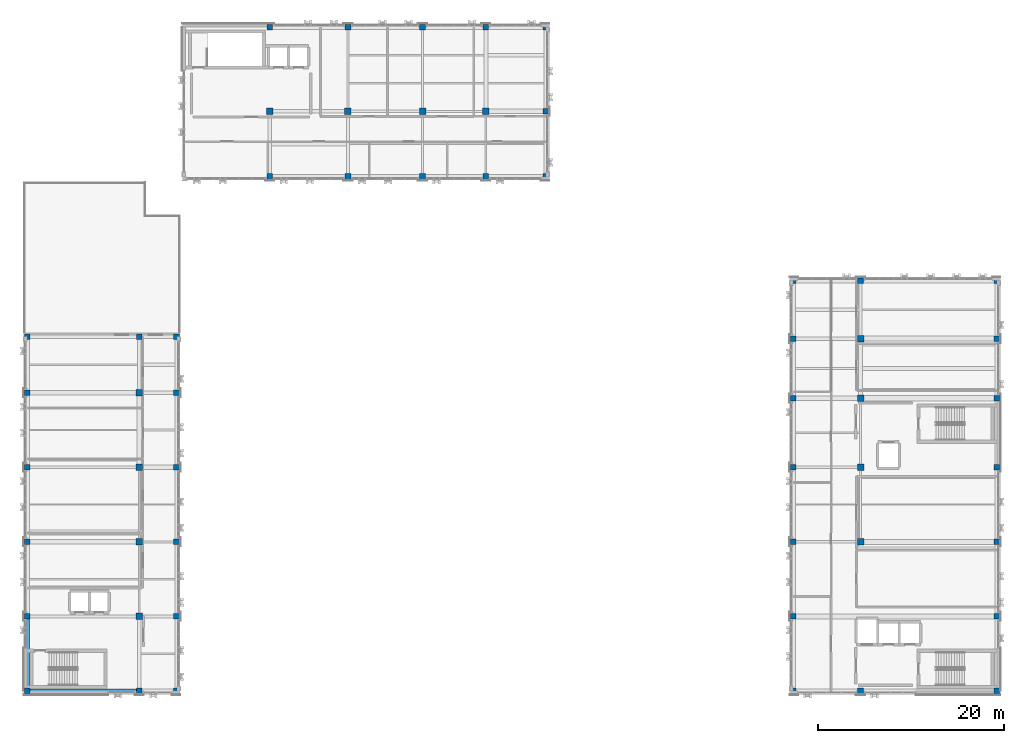
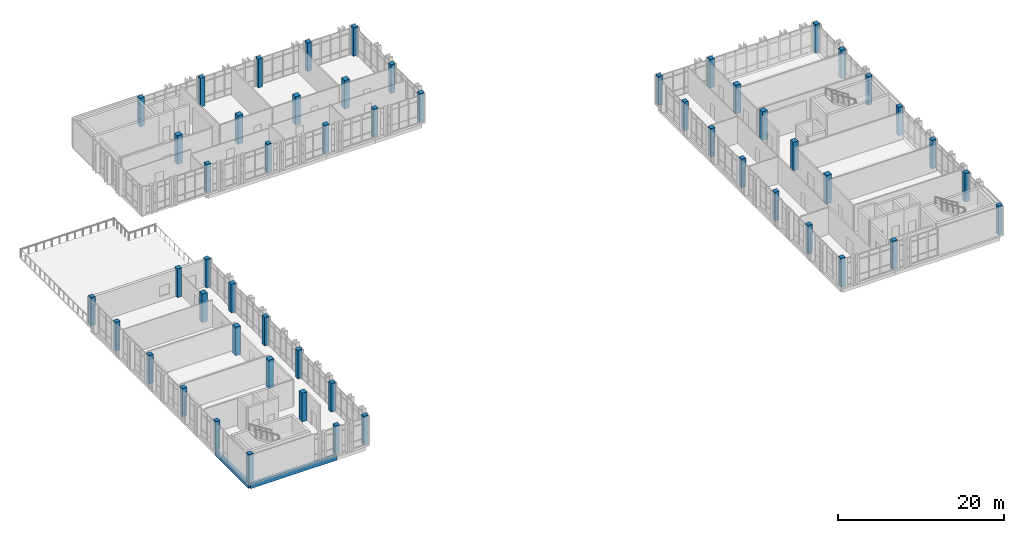
# One storey, part 1 of 77: 53 columns, 2 beams.
"""IFC4 building model written with IfcOpenShell, lengths in metres."""

from ifc_helpers import new_model, si_unit, direction, frame, origin, origin_2d, place, context, subcontext, project, spatial, rectangle, extrude, material, material_profile, profile_set, type_object, element, save


model = new_model("IFC4")

# Units and contexts
model_context = context("Model", 3, precision=1e-05, world=origin(), true_north=direction((0.0, 1.0)))
body_context = subcontext(model_context, "Body", "Model", "MODEL_VIEW")
ifc_project = project(units=[si_unit("LENGTHUNIT", "METRE"), si_unit("AREAUNIT", "SQUARE_METRE"), si_unit("VOLUMEUNIT", "CUBIC_METRE"), si_unit("PLANEANGLEUNIT", "RADIAN"), si_unit("MASSUNIT", "GRAM", prefix="KILO")], contexts=[model_context])

# Site, building, storey
site_placement = place(None, origin())
site = spatial("IfcSite", under=ifc_project, at=site_placement, CompositionType="ELEMENT")
building_placement = place(site_placement, origin())
building = spatial("IfcBuilding", under=site, at=building_placement, Name="Qalavern Law Courts", CompositionType="ELEMENT")
storey_placement = place(building_placement, frame((0.0, 0.0, 27.0)))
storey = spatial("IfcBuildingStorey", under=building, at=storey_placement, Name="L06", CompositionType="ELEMENT", Elevation=27.0)

# Columns
ifc_material_1 = material(Name="Concrete C45/55", Category="concrete")
ifc_material_profile_1 = material_profile(ifc_material_1, rectangle(XDim=0.60009765625, YDim=0.60009765625, at=origin_2d()), Name="RC 600x600")
ifc_profile_set_1 = profile_set([ifc_material_profile_1], Name="Concrete C45/55")
column_type_1 = type_object("IfcColumnType", Name="STR-COL-RC600E", PredefinedType="COLUMN", material=ifc_profile_set_1)
for number, where, z_axis, x_axis, name in (
    (1, (2.39990234375, 41.419921875, 0.0), (0.0, 0.0, 1.0), (1.0, 0.0, 0.0), "V3 column 1-1 L06"),
    (2, (2.39990234375, 49.39990234375, 0.0), (0.0, 0.0, 1.0), (1.0, 0.0, 0.0), "V3 column 1-2 L06"),
    (3, (2.39990234375, 57.39990234375, 0.0), (0.0, 0.0, 1.0), (1.0, 0.0, 0.0), "V3 column 1-3 L06"),
    (4, (2.39990234375, 65.39990234375, 0.0), (0.0, 0.0, 1.0), (1.0, 0.0, 0.0), "V3 column 1-4 L06"),
    (5, (2.39990234375, 73.39990234375, 0.0), (0.0, 0.0, 1.0), (1.0, 0.0, 0.0), "V3 column 1-5 L06"),
    (6, (2.39990234375, 79.39990234375, 0.0), (0.0, 0.0, 1.0), (1.0, 0.0, 0.0), "V3 column 1-6 L06"),
    (7, (14.39990234375, 41.419921875, 0.0), (0.0, 0.0, 1.0), (1.0, 0.0, 0.0), "V3 column 2-1 L06"),
    (8, (14.39990234375, 79.39990234375, 0.0), (0.0, 0.0, 1.0), (1.0, 0.0, 0.0), "V3 column 2-6 L06"),
    (9, (18.39990234375, 41.419921875, 0.0), (0.0, 0.0, 1.0), (1.0, 0.0, 0.0), "V3 column 3-1 L06"),
    (10, (18.39990234375, 49.39990234375, 0.0), (0.0, 0.0, 1.0), (1.0, 0.0, 0.0), "V3 column 3-2 L06"),
    (11, (18.39990234375, 57.39990234375, 0.0), (0.0, 0.0, 1.0), (1.0, 0.0, 0.0), "V3 column 3-3 L06"),
    (12, (18.39990234375, 65.39990234375, 0.0), (0.0, 0.0, 1.0), (1.0, 0.0, 0.0), "V3 column 3-4 L06"),
    (13, (18.39990234375, 73.39990234375, 0.0), (0.0, 0.0, 1.0), (1.0, 0.0, 0.0), "V3 column 3-5 L06"),
    (14, (18.39990234375, 79.39990234375, 0.0), (0.0, 0.0, 1.0), (1.0, 0.0, 0.0), "V3 column 3-6 L06"),
    (15, (84.60009765625, 41.419921875, 0.0), (0.0, 0.0, 1.0), (1.0, 0.0, 0.0), "V4 column 1-1 L06"),
    (16, (84.60009765625, 49.39990234375, 0.0), (0.0, 0.0, 1.0), (1.0, 0.0, 0.0), "V4 column 1-2 L06"),
    (17, (84.60009765625, 57.39990234375, 0.0), (0.0, 0.0, 1.0), (1.0, 0.0, 0.0), "V4 column 1-3 L06"),
    (18, (84.60009765625, 65.39990234375, 0.0), (0.0, 0.0, 1.0), (1.0, 0.0, 0.0), "V4 column 1-4 L06"),
    (19, (84.60009765625, 72.800048828125, 0.0), (0.0, 0.0, 1.0), (1.0, 0.0, 0.0), "V4 column 1-5 L06"),
    (20, (84.60009765625, 79.199951171875, 0.0), (0.0, 0.0, 1.0), (1.0, 0.0, 0.0), "V4 column 1-6 L06"),
    (21, (84.60009765625, 85.39990234375, 0.0), (0.0, 0.0, 1.0), (1.0, 0.0, 0.0), "V4 column 1-7 L06"),
    (22, (91.800048828125, 41.419921875, 0.0), (0.0, 0.0, 1.0), (1.0, 0.0, 0.0), "V4 column 2-1 L06"),
    (23, (91.800048828125, 85.39990234375, 0.0), (0.0, 0.0, 1.0), (1.0, 0.0, 0.0), "V4 column 2-7 L06"),
    (24, (106.39990234375, 41.419921875, 0.0), (0.0, 0.0, 1.0), (1.0, 0.0, 0.0), "V4 column 3-1 L06"),
    (25, (106.39990234375, 49.39990234375, 0.0), (0.0, 0.0, 1.0), (1.0, 0.0, 0.0), "V4 column 3-2 L06"),
    (26, (106.39990234375, 57.39990234375, 0.0), (0.0, 0.0, 1.0), (1.0, 0.0, 0.0), "V4 column 3-3 L06"),
    (27, (106.39990234375, 65.39990234375, 0.0), (0.0, 0.0, 1.0), (1.0, 0.0, 0.0), "V4 column 3-4 L06"),
    (28, (106.39990234375, 72.800048828125, 0.0), (0.0, 0.0, 1.0), (1.0, 0.0, 0.0), "V4 column 3-5 L06"),
    (29, (106.39990234375, 79.199951171875, 0.0), (0.0, 0.0, 1.0), (1.0, 0.0, 0.0), "V4 column 3-6 L06"),
    (30, (106.39990234375, 85.39990234375, 0.0), (0.0, 0.0, 1.0), (1.0, 0.0, 0.0), "V4 column 3-7 L06"),
    (31, (28.39990234375, 96.60009765625, 0.0), (0.0, 0.0, 1.0), (1.0, 0.0, 0.0), "V5 column 4-1 L06"),
    (32, (28.39990234375, 112.60009765625, 0.0), (0.0, 0.0, 1.0), (1.0, 0.0, 0.0), "V5 column 4-3 L06"),
    (33, (36.800048828125, 96.60009765625, 0.0), (0.0, 0.0, 1.0), (1.0, 0.0, 0.0), "V5 column 5-1 L06"),
    (34, (36.800048828125, 112.60009765625, 0.0), (0.0, 0.0, 1.0), (1.0, 0.0, 0.0), "V5 column 5-3 L06"),
    (35, (44.800048828125, 96.60009765625, 0.0), (0.0, 0.0, 1.0), (1.0, 0.0, 0.0), "V5 column 6-1 L06"),
    (36, (44.800048828125, 112.60009765625, 0.0), (0.0, 0.0, 1.0), (1.0, 0.0, 0.0), "V5 column 6-3 L06"),
    (37, (51.60009765625, 96.60009765625, 0.0), (0.0, 0.0, 1.0), (1.0, 0.0, 0.0), "V5 column 7-1 L06"),
    (38, (51.60009765625, 112.60009765625, 0.0), (0.0, 0.0, 1.0), (1.0, 0.0, 0.0), "V5 column 7-3 L06"),
    (39, (58.0, 96.60009765625, 0.0), (0.0, 0.0, 1.0), (1.0, 0.0, 0.0), "V5 column 8-1 L06"),
    (40, (58.0, 103.60009765625, 0.0), (0.0, 0.0, 1.0), (1.0, 0.0, 0.0), "V5 column 8-2 L06"),
    (41, (58.0, 112.60009765625, 0.0), (0.0, 0.0, 1.0), (1.0, 0.0, 0.0), "V5 column 8-3 L06"),
):
    element("IfcColumn", number, at=place(storey_placement, frame(where, z_axis=z_axis, x_axis=x_axis)), inside=storey, type_object=column_type_1, Name=name, PredefinedType="COLUMN", context=body_context, shape_type="SweptSolid", body=[
        extrude(rectangle(XDim=0.60009765625, YDim=0.60009765625, at=origin_2d()), origin(), (0.0, 0.0, 1.0), 4.199951171875),
    ])
ifc_material_profile_2 = material_profile(ifc_material_1, rectangle(XDim=0.699951171875, YDim=0.699951171875, at=origin_2d()), Name="RC 700x700")
ifc_profile_set_2 = profile_set([ifc_material_profile_2], Name="Concrete C45/55")
column_type_2 = type_object("IfcColumnType", Name="STR-COL-RC700", PredefinedType="COLUMN", material=ifc_profile_set_2)
for number, where, z_axis, x_axis, name in (
    (42, (14.39990234375, 49.39990234375, 0.0), (0.0, 0.0, 1.0), (1.0, 0.0, 0.0), "V3 column 2-2 L06"),
    (43, (14.39990234375, 57.39990234375, 0.0), (0.0, 0.0, 1.0), (1.0, 0.0, 0.0), "V3 column 2-3 L06"),
    (44, (14.39990234375, 65.39990234375, 0.0), (0.0, 0.0, 1.0), (1.0, 0.0, 0.0), "V3 column 2-4 L06"),
    (45, (14.39990234375, 73.39990234375, 0.0), (0.0, 0.0, 1.0), (1.0, 0.0, 0.0), "V3 column 2-5 L06"),
    (46, (91.800048828125, 57.39990234375, 0.0), (0.0, 0.0, 1.0), (1.0, 0.0, 0.0), "V4 column 2-3 L06"),
    (47, (91.800048828125, 65.39990234375, 0.0), (0.0, 0.0, 1.0), (1.0, 0.0, 0.0), "V4 column 2-4 L06"),
    (48, (91.800048828125, 72.800048828125, 0.0), (0.0, 0.0, 1.0), (1.0, 0.0, 0.0), "V4 column 2-5 L06"),
    (49, (91.800048828125, 79.199951171875, 0.0), (0.0, 0.0, 1.0), (1.0, 0.0, 0.0), "V4 column 2-6 L06"),
    (50, (28.39990234375, 103.60009765625, 0.0), (0.0, 0.0, 1.0), (1.0, 0.0, 0.0), "V5 column 4-2 L06"),
    (51, (36.800048828125, 103.60009765625, 0.0), (0.0, 0.0, 1.0), (1.0, 0.0, 0.0), "V5 column 5-2 L06"),
    (52, (44.800048828125, 103.60009765625, 0.0), (0.0, 0.0, 1.0), (1.0, 0.0, 0.0), "V5 column 6-2 L06"),
    (53, (51.60009765625, 103.60009765625, 0.0), (0.0, 0.0, 1.0), (1.0, 0.0, 0.0), "V5 column 7-2 L06"),
):
    element("IfcColumn", number, at=place(storey_placement, frame(where, z_axis=z_axis, x_axis=x_axis)), inside=storey, type_object=column_type_2, Name=name, PredefinedType="COLUMN", context=body_context, shape_type="SweptSolid", body=[
        extrude(rectangle(XDim=0.699951171875, YDim=0.699951171875, at=origin_2d()), origin(), (0.0, 0.0, 1.0), 4.199951171875),
    ])

# Beams
ifc_material_2 = material(Name="Concrete C40/50", Category="concrete")
ifc_material_profile_3 = material_profile(ifc_material_2, rectangle(XDim=0.39990234375, YDim=0.699951171875, at=origin_2d()), Name="RC 400x700")
ifc_profile_set_3 = profile_set([ifc_material_profile_3], Name="Concrete C40/50")
beam_type = type_object("IfcBeamType", Name="STR-SP-RC400x700", PredefinedType="SPANDREL", material=ifc_profile_set_3)
beam_1_placement = place(storey_placement, frame((2.39990234375, 41.419921875, -0.6201171875), z_axis=(1.0, 0.0, 0.0), x_axis=(0.0, 1.0, 0.0)))
element("IfcBeam", 54, at=beam_1_placement, inside=storey, type_object=beam_type, Name="V3 X-beam 1-1 L06", PredefinedType="SPANDREL", context=body_context, shape_type="SweptSolid", body=[
    extrude(rectangle(XDim=0.39990234375, YDim=0.699951171875, at=origin_2d()), origin(), (0.0, 0.0, 1.0), 12.0),
])
beam_2_placement = place(storey_placement, frame((2.39990234375, 41.419921875, -0.6201171875), z_axis=(0.0, 1.0, 0.0), x_axis=(-1.0, 0.0, 0.0)))
element("IfcBeam", 55, at=beam_2_placement, inside=storey, type_object=beam_type, Name="V3 Y-beam 1-1 L06", PredefinedType="SPANDREL", context=body_context, shape_type="SweptSolid", body=[
    extrude(rectangle(XDim=0.39990234375, YDim=0.699951171875, at=origin_2d()), origin(), (0.0, 0.0, 1.0), 7.97998046875),
])

save(model, "model.ifc")
